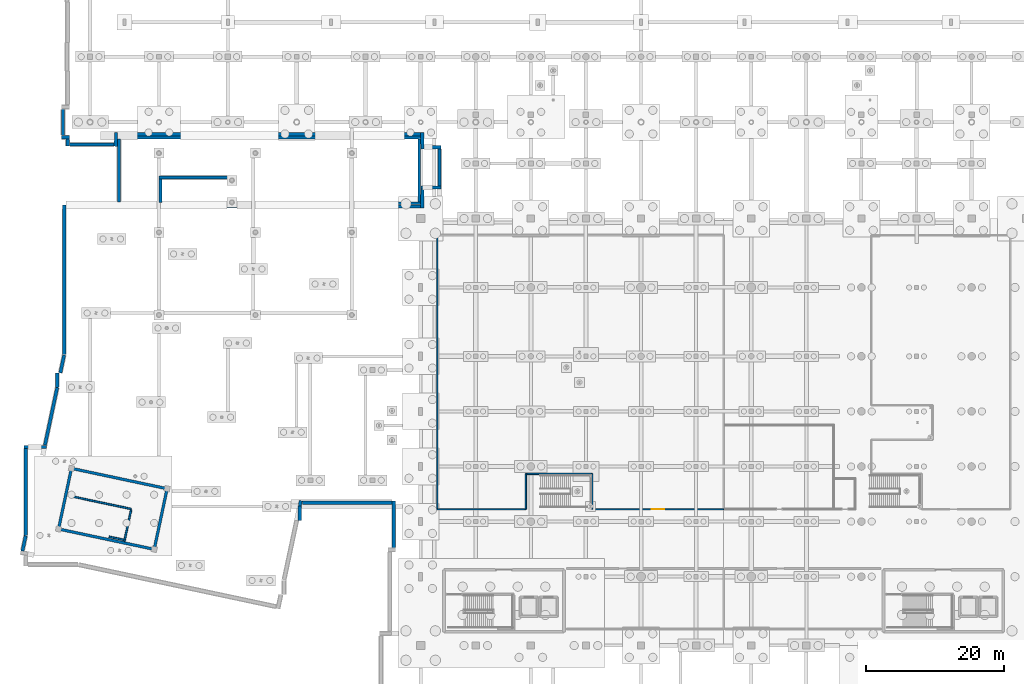
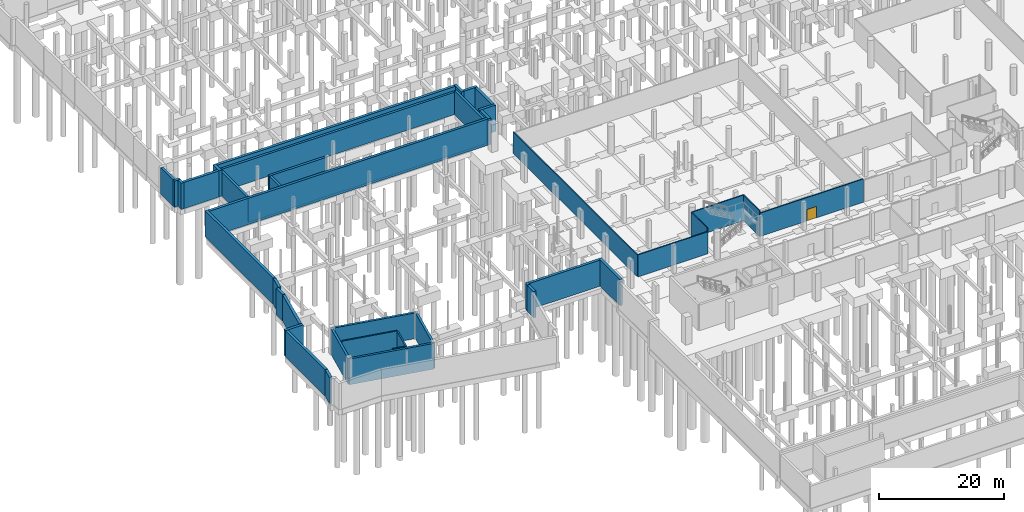
# One storey, part 50 of 65: 42 walls, 1 door, 1 opening.
"""IFC4 building model written with IfcOpenShell, lengths in metres."""

import ifcopenshell
import ifcopenshell.guid

model = None  # the IFC model being written
_history = None  # IfcOwnerHistory: only IFC2X3 demands one
_inside = {}  # id of a spatial element -> (the spatial element, [elements in it])
_under = {}  # id of a project, library or spatial element -> (it, [spatial elements below it])
_declared = {}  # id of a project -> (the project, [libraries it declares])
_typed = {}  # id of a type object -> (the type object, [elements of that type])
_made_of = {}  # id of a material, layer set ... -> (it, [elements and type objects made of it])


def new_model(schema):
    """Start an empty IFC model of exactly this schema.

    Asked for "IFC4X3", IfcOpenShell would pick the latest addendum, in which some entities
    have other attributes; the version numbers below select the first issue.
    IFC2X3 requires an IfcOwnerHistory on every rooted entity: one is made here for all.
    """
    global model, _history
    if schema == "IFC4X3":
        model = ifcopenshell.file(schema_version=(4, 3, 0, 0))
    else:
        model = ifcopenshell.file(schema=schema)
    _inside.clear()
    _under.clear()
    _declared.clear()
    _typed.clear()
    _made_of.clear()
    _history = None
    if model.schema == "IFC2X3":
        org = make("IfcOrganization", Name="unknown")
        user = make(
            "IfcPersonAndOrganization",
            ThePerson=make("IfcPerson", FamilyName="unknown"),
            TheOrganization=org,
        )
        app = make(
            "IfcApplication",
            ApplicationDeveloper=org,
            Version="unknown",
            ApplicationFullName="unknown",
            ApplicationIdentifier="unknown",
        )
        _history = make(
            "IfcOwnerHistory",
            OwningUser=user,
            OwningApplication=app,
            ChangeAction="ADDED",
            CreationDate=0,
        )
    return model


def make(cls, **values):
    """One entity of the class cls with the attributes given. An attribute that is None is left unset."""
    return model.create_entity(
        cls, **{name: value for name, value in values.items() if value is not None}
    )


def rooted(cls, **values):
    """An entity with a GlobalId (a new one), such as an element, a storey or a relation."""
    return make(cls, GlobalId=ifcopenshell.guid.new(), OwnerHistory=_history, **values)


def si_unit(unit_type, name, prefix=None):
    """IfcSIUnit, for example si_unit("LENGTHUNIT", "METRE", prefix="MILLI")."""
    return make("IfcSIUnit", UnitType=unit_type, Prefix=prefix, Name=name)


def assignment(units):
    """IfcUnitAssignment: the units of a project."""
    return None if units is None else make("IfcUnitAssignment", Units=units)


def point(xyz):
    """IfcCartesianPoint."""
    return None if xyz is None else make("IfcCartesianPoint", Coordinates=xyz)


def direction(xyz):
    """IfcDirection."""
    return None if xyz is None else make("IfcDirection", DirectionRatios=xyz)


def frame(location, z_axis=None, x_axis=None):
    """IfcAxis2Placement3D, a coordinate frame: its origin and axes. An axis left out is left unset."""
    return make(
        "IfcAxis2Placement3D",
        Location=point(location),
        Axis=direction(z_axis),
        RefDirection=direction(x_axis),
    )


def frame_2d(location, x_axis=None):
    """IfcAxis2Placement2D, a coordinate frame in the plane: its origin and x axis."""
    return make(
        "IfcAxis2Placement2D", Location=point(location), RefDirection=direction(x_axis)
    )


def origin():
    """The frame at (0, 0, 0) with its axes left unset."""
    return frame((0.0, 0.0, 0.0))


def place(relative_to, where):
    """IfcLocalPlacement: puts the frame where relative to a parent placement (None: the world)."""
    return make(
        "IfcLocalPlacement", PlacementRelTo=relative_to, RelativePlacement=where
    )


def context(
    kind, dimensions, precision=None, world=None, true_north=None, identifier=None
):
    """IfcGeometricRepresentationContext, for example the 3D "Model" context."""
    return make(
        "IfcGeometricRepresentationContext",
        ContextIdentifier=identifier,
        ContextType=kind,
        CoordinateSpaceDimension=dimensions,
        Precision=precision,
        WorldCoordinateSystem=world,
        TrueNorth=true_north,
    )


def subcontext(parent, identifier, kind, view, scale=None):
    """IfcGeometricRepresentationSubContext, for example "Body" below "Model"."""
    return make(
        "IfcGeometricRepresentationSubContext",
        ContextIdentifier=identifier,
        ContextType=kind,
        ParentContext=parent,
        TargetScale=scale,
        TargetView=view,
    )


def project(units=None, contexts=None):
    """IfcProject with its units and contexts."""
    return rooted(
        "IfcProject",
        Name="project",
        RepresentationContexts=contexts,
        UnitsInContext=assignment(units),
    )


def spatial(cls, under=None, at=None, **own):
    """A site, building, storey or space (cls), placed at a placement, below another one or the project."""
    s = rooted(cls, ObjectPlacement=at, **own)
    if under is not None:
        _under.setdefault(under.id(), (under, []))[1].append(s)
    return s


def profile(cls, at=None, kind="AREA", **sizes):
    """A parametric profile (cls). Its sizes go by their IFC names, for example OverallWidth=200.0."""
    return make(cls, ProfileType=kind, Position=at, **sizes)


def rectangle(**sizes):
    """IfcRectangleProfileDef."""
    return profile("IfcRectangleProfileDef", **sizes)


def extrude(swept, where, along, depth):
    """IfcExtrudedAreaSolid: the profile swept, set in the frame where, extruded along a direction by depth."""
    return make(
        "IfcExtrudedAreaSolid",
        SweptArea=swept,
        Position=where,
        ExtrudedDirection=direction(along),
        Depth=depth,
    )


def shape(context_of_items, identifier, shape_type, items):
    """IfcShapeRepresentation: the items that make up one representation, for example the "Body"."""
    return make(
        "IfcShapeRepresentation",
        ContextOfItems=context_of_items,
        RepresentationIdentifier=identifier,
        RepresentationType=shape_type,
        Items=items,
    )


def material(Name=None, Category=None):
    """IfcMaterial."""
    return make("IfcMaterial", Name=Name, Category=Category)


def layer(
    of_material, thickness, ventilated=None, Name=None, Category=None, Priority=None
):
    """IfcMaterialLayer: one layer of a wall or slab, of a material (None: an air gap)."""
    return make(
        "IfcMaterialLayer",
        Material=of_material,
        LayerThickness=thickness,
        IsVentilated=ventilated,
        Name=Name,
        Category=Category,
        Priority=Priority,
    )


def layer_set(layers, Name=None):
    """IfcMaterialLayerSet."""
    return make("IfcMaterialLayerSet", MaterialLayers=layers, LayerSetName=Name)


def made_of(thing, what):
    """Note that an element or type object is made of a material, layer set ...; save() writes the relation."""
    if what is not None:
        _made_of.setdefault(what.id(), (what, []))[1].append(thing)
    return thing


def type_object(cls, material=None, **own):
    """A type object (cls), such as IfcWallType, which elements share."""
    return made_of(rooted(cls, **own), material)


def element(
    cls,
    number,
    at=None,
    inside=None,
    cuts=None,
    type_object=None,
    material=None,
    context=None,
    identifier="Body",
    shape_type=None,
    held_by="IfcProductDefinitionShape",
    body=None,
    shapes=None,
    **own,
):
    """One element of the class cls, such as IfcWall. Its Tag is "e" and its number.

    at: its placement. inside: the storey or other place that contains it. cuts: it is an
    opening in that element (IfcRelVoidsElement). A single representation is given by context,
    identifier, shape_type and body (its items); several are given by shapes. held_by: the class
    of the entity that holds the representations. save() writes the other relations.
    """
    e = rooted(cls, Tag="e%d" % number, ObjectPlacement=at, **own)
    if body is not None:
        shapes = [shape(context, identifier, shape_type, body)]
    if shapes is not None:
        e.Representation = make(held_by, Representations=shapes)
    if inside is not None:
        _inside.setdefault(inside.id(), (inside, []))[1].append(e)
    if cuts is not None:
        rooted(
            "IfcRelVoidsElement", RelatingBuildingElement=cuts, RelatedOpeningElement=e
        )
    if type_object is not None:
        _typed.setdefault(type_object.id(), (type_object, []))[1].append(e)
    return made_of(e, material)


def fill(opening, filler):
    """IfcRelFillsElement: the door or window that sits in an opening."""
    return rooted(
        "IfcRelFillsElement",
        RelatingOpeningElement=opening,
        RelatedBuildingElement=filler,
    )


def aggregate(whole, parts):
    """IfcRelAggregates: a whole, such as a stair, and the parts it consists of."""
    return rooted("IfcRelAggregates", RelatingObject=whole, RelatedObjects=parts)


def save(model, path):
    """Write the relations noted so far, then the file.

    IfcRelAggregates (storeys below a building ...), IfcRelContainedInSpatialStructure (elements
    in a storey), IfcRelDefinesByType, IfcRelAssociatesMaterial and IfcRelDeclares: one each for
    every whole, place, type object, material and project.
    """
    for whole, parts in _under.values():
        aggregate(whole, parts)
    for where, things in _inside.values():
        rooted(
            "IfcRelContainedInSpatialStructure",
            RelatedElements=things,
            RelatingStructure=where,
        )
    for kind, things in _typed.values():
        rooted("IfcRelDefinesByType", RelatedObjects=things, RelatingType=kind)
    for what, things in _made_of.values():
        rooted("IfcRelAssociatesMaterial", RelatedObjects=things, RelatingMaterial=what)
    for by, libraries in _declared.values():
        rooted("IfcRelDeclares", RelatingContext=by, RelatedDefinitions=libraries)
    model.write(path)


model = new_model("IFC4")

# Units and contexts
model_context = context("Model", 3, precision=1e-05, world=origin(), true_north=direction((0.0, 1.0)))
body_context = subcontext(model_context, "Body", "Model", "MODEL_VIEW")
ifc_project = project(units=[si_unit("LENGTHUNIT", "METRE"), si_unit("AREAUNIT", "SQUARE_METRE"), si_unit("VOLUMEUNIT", "CUBIC_METRE"), si_unit("PLANEANGLEUNIT", "RADIAN"), si_unit("MASSUNIT", "GRAM", prefix="KILO")], contexts=[model_context])

# Site, building, storey
site_placement = place(None, origin())
site = spatial("IfcSite", under=ifc_project, at=site_placement, CompositionType="ELEMENT")
building_placement = place(site_placement, origin())
building = spatial("IfcBuilding", under=site, at=building_placement, Name="Khorjan Park Terminus", CompositionType="ELEMENT")
storey_placement = place(building_placement, frame((0.0, 0.0, -5.4)))
storey = spatial("IfcBuildingStorey", under=building, at=storey_placement, Name="B1", CompositionType="ELEMENT", Elevation=-5.4)

# Walls
ifc_material_1 = material(Name="Concrete C50/60", Category="concrete")
ifc_layer_1 = layer(ifc_material_1, 0.4)
ifc_layer_set_1 = layer_set([ifc_layer_1], Name="Concrete C50/60")
wall_type_1 = type_object("IfcWallType", Name="CW-40", PredefinedType="SHEAR", material=ifc_layer_set_1)
wall_1_placement = place(storey_placement, frame((-4.5767, 42.9243, 0.0), z_axis=(0.0, 0.0, 1.0), x_axis=(0.978148272054, -0.20790853248, 0.0)))
element("IfcWall", 1, at=wall_1_placement, inside=storey, type_object=wall_type_1, Name="Park Pavilion Exit Core substructure shear wall CW-40 (B1-E1)", PredefinedType="SHEAR", context=body_context, shape_type="SweptSolid", body=[
    extrude(rectangle(XDim=14.2, YDim=0.4, at=frame_2d((7.1, 0.0))), origin(), (0.0, 0.0, 1.0), 5.02),
])
wall_2_placement = place(storey_placement, frame((9.313, 39.972, 0.0), z_axis=(0.0, 0.0, 1.0), x_axis=(0.20791177806, 0.97814758219, 0.0)))
element("IfcWall", 2, at=wall_2_placement, inside=storey, type_object=wall_type_1, Name="Park Pavilion Exit Core substructure shear wall CW-40 (B1-E2)", PredefinedType="SHEAR", context=body_context, shape_type="SweptSolid", body=[
    extrude(rectangle(XDim=9.0, YDim=0.4, at=frame_2d((4.5, 0.0))), origin(), (0.0, 0.0, 1.0), 5.02),
])
wall_3_placement = place(storey_placement, frame((11.1842, 48.7753, 0.0), z_axis=(0.0, 0.0, 1.0), x_axis=(-0.978148272054, 0.20790853248, 0.0)))
element("IfcWall", 3, at=wall_3_placement, inside=storey, type_object=wall_type_1, Name="Park Pavilion Exit Core substructure shear wall CW-40 (B1-E3)", PredefinedType="SHEAR", context=body_context, shape_type="SweptSolid", body=[
    extrude(rectangle(XDim=14.2, YDim=0.4, at=frame_2d((7.1, 0.0))), origin(), (0.0, 0.0, 1.0), 5.02),
])
wall_4_placement = place(storey_placement, frame((-2.7055, 51.7276, 0.0), z_axis=(0.0, 0.0, 1.0), x_axis=(-0.20791177806, -0.97814758219, 0.0)))
element("IfcWall", 4, at=wall_4_placement, inside=storey, type_object=wall_type_1, Name="Park Pavilion Exit Core substructure shear wall CW-40 (B1-E4)", PredefinedType="SHEAR", context=body_context, shape_type="SweptSolid", body=[
    extrude(rectangle(XDim=9.0, YDim=0.4, at=frame_2d((4.5, 0.0))), origin(), (0.0, 0.0, 1.0), 5.02),
])

# Wall, opening, door
ifc_material_2 = material(Name="Fire-Rated Acoustic Masonry & Drywall", Category="masonry")
ifc_layer_2 = layer(ifc_material_2, 0.2)
ifc_layer_set_2 = layer_set([ifc_layer_2], Name="Fire-Rated Acoustic Masonry & Drywall")
wall_type_2 = type_object("IfcWallType", Name="PT-20", PredefinedType="PARTITIONING", material=ifc_layer_set_2)
wall_5_placement = place(storey_placement, frame((92.0, 45.8, 0.0), z_axis=(0.0, 0.0, 1.0), x_axis=(-1.0, 0.0, 0.0)))
wall_5 = element("IfcWall", 5, at=wall_5_placement, inside=storey, type_object=wall_type_2, Name="Interior acoustic partition PT-20 (B1-BAG)", PredefinedType="PARTITIONING", context=body_context, shape_type="SweptSolid", body=[
    extrude(rectangle(XDim=19.08, YDim=0.2, at=frame_2d((9.54, 0.0))), origin(), (0.0, 0.0, 1.0), 4.565),
])
opening_placement = place(wall_5_placement, frame((8.64, 0.0, 0.0)))
opening = element("IfcOpeningElement", 6, at=opening_placement, cuts=wall_5, Name="Opening FD-18", PredefinedType="OPENING", context=body_context, shape_type="SweptSolid", body=[
    extrude(rectangle(XDim=1.8, YDim=2.25, at=frame_2d((0.9, 1.125))), frame((0.0, 0.11, 0.0), z_axis=(0.0, -1.0, 0.0), x_axis=(1.0, 0.0, 0.0)), (0.0, 0.0, 1.0), 0.22),
])
ifc_material_3 = material(Name="Fire-Rated Steel Double Door", Category="steel")
door_type = type_object("IfcDoorType", Name="FD-18", OperationType="NOTDEFINED", PredefinedType="DOOR", material=ifc_material_3)
door_placement = place(opening_placement, origin())
door = element("IfcDoor", 7, at=door_placement, inside=storey, type_object=door_type, Name="Interior door FD-18 (B1-BAG)", OperationType="DOUBLE_DOOR_SINGLE_SWING", OverallHeight=2.25, OverallWidth=1.8, PredefinedType="DOOR", context=body_context, shape_type="SweptSolid", body=[
    extrude(rectangle(XDim=1.8, YDim=2.25, at=frame_2d((0.9, 1.125))), frame((0.0, 0.025, 0.0), z_axis=(0.0, -1.0, 0.0), x_axis=(1.0, 0.0, 0.0)), (0.0, 0.0, 1.0), 0.05),
])
fill(opening, door)

# Walls
wall_6_placement = place(storey_placement, frame((72.92, 45.8, 0.0), z_axis=(0.0, 0.0, 1.0), x_axis=(0.0, 1.0, 0.0)))
element("IfcWall", 8, at=wall_6_placement, inside=storey, type_object=wall_type_2, Name="Interior acoustic partition PT-20 (B1-BAG)", PredefinedType="PARTITIONING", context=body_context, shape_type="SweptSolid", body=[
    extrude(rectangle(XDim=5.12, YDim=0.2, at=frame_2d((2.56, 0.0))), origin(), (0.0, 0.0, 1.0), 5.02),
])
wall_7_placement = place(storey_placement, frame((72.92, 50.92, 0.0), z_axis=(0.0, 0.0, 1.0), x_axis=(-1.0, 0.0, 0.0)))
element("IfcWall", 9, at=wall_7_placement, inside=storey, type_object=wall_type_2, Name="Interior acoustic partition PT-20 (B1-BAG)", PredefinedType="PARTITIONING", context=body_context, shape_type="SweptSolid", body=[
    extrude(rectangle(XDim=9.64, YDim=0.2, at=frame_2d((4.82, 0.0))), origin(), (0.0, 0.0, 1.0), 5.02),
])
wall_8_placement = place(storey_placement, frame((63.28, 50.92, 0.0), z_axis=(0.0, 0.0, 1.0), x_axis=(0.0, -1.0, 0.0)))
element("IfcWall", 10, at=wall_8_placement, inside=storey, type_object=wall_type_2, Name="Interior acoustic partition PT-20 (B1-BAG)", PredefinedType="PARTITIONING", context=body_context, shape_type="SweptSolid", body=[
    extrude(rectangle(XDim=5.12, YDim=0.2, at=frame_2d((2.56, 0.0))), origin(), (0.0, 0.0, 1.0), 5.02),
])
wall_9_placement = place(storey_placement, frame((63.28, 45.8, 0.0), z_axis=(0.0, 0.0, 1.0), x_axis=(-1.0, 0.0, 0.0)))
element("IfcWall", 11, at=wall_9_placement, inside=storey, type_object=wall_type_2, Name="Interior acoustic partition PT-20 (B1-BAG)", PredefinedType="PARTITIONING", context=body_context, shape_type="SweptSolid", body=[
    extrude(rectangle(XDim=12.88, YDim=0.2, at=frame_2d((6.44, 0.0))), origin(), (0.0, 0.0, 1.0), 4.315),
])
wall_10_placement = place(storey_placement, frame((50.4, 45.8, 0.0), z_axis=(0.0, 0.0, 1.0), x_axis=(0.0, 1.0, 0.0)))
element("IfcWall", 12, at=wall_10_placement, inside=storey, type_object=wall_type_2, Name="Interior acoustic partition PT-20 (B1-BAG)", PredefinedType="PARTITIONING", context=body_context, shape_type="SweptSolid", body=[
    extrude(rectangle(XDim=39.8, YDim=0.2, at=frame_2d((19.9, 0.0))), origin(), (0.0, 0.0, 1.0), 4.215),
])
ifc_material_4 = material(Name="Concrete C40/50", Category="concrete")
ifc_layer_3 = layer(ifc_material_4, 0.42)
ifc_layer_set_3 = layer_set([ifc_layer_3], Name="Concrete C40/50")
wall_type_3 = type_object("IfcWallType", Name="RW-42", PredefinedType="SOLIDWALL", material=ifc_layer_set_3)
wall_11_placement = place(storey_placement, frame((48.0, 90.23, 0.0), z_axis=(0.0, 0.0, 1.0), x_axis=(-1.0, 0.0, 0.0)))
element("IfcWall", 13, at=wall_11_placement, inside=storey, type_object=wall_type_3, Name="Grade approach concrete retaining wall RW-42 (79)", PredefinedType="SOLIDWALL", context=body_context, shape_type="SweptSolid", body=[
    extrude(rectangle(XDim=44.0, YDim=0.42, at=frame_2d((22.0, 0.0))), origin(), (0.0, 0.0, 1.0), 4.68),
])
wall_12_placement = place(storey_placement, frame((4.21, 90.44, 0.0), z_axis=(0.0, 0.0, 1.0), x_axis=(0.0, 1.0, 0.0)))
element("IfcWall", 14, at=wall_12_placement, inside=storey, type_object=wall_type_3, Name="Grade approach concrete retaining wall RW-42 (80)", PredefinedType="SOLIDWALL", context=body_context, shape_type="SweptSolid", body=[
    extrude(rectangle(XDim=9.14, YDim=0.42, at=frame_2d((4.57, 0.0))), origin(), (0.0, 0.0, 1.0), 4.68),
])
wall_13_placement = place(storey_placement, frame((4.0, 99.79, 0.0), z_axis=(0.0, 0.0, 1.0), x_axis=(1.0, 0.0, 0.0)))
element("IfcWall", 15, at=wall_13_placement, inside=storey, type_object=wall_type_3, Name="Grade approach concrete retaining wall RW-42 (81)", PredefinedType="SOLIDWALL", context=body_context, shape_type="SweptSolid", body=[
    extrude(rectangle(XDim=44.0, YDim=0.42, at=frame_2d((22.0, 0.0))), origin(), (0.0, 0.0, 1.0), 4.36),
])
wall_14_placement = place(storey_placement, frame((47.79, 99.58, 0.0), z_axis=(0.0, 0.0, 1.0), x_axis=(0.0, -1.0, 0.0)))
element("IfcWall", 16, at=wall_14_placement, inside=storey, type_object=wall_type_3, Name="Grade approach concrete retaining wall RW-42 (82)", PredefinedType="SOLIDWALL", context=body_context, shape_type="SweptSolid", body=[
    extrude(rectangle(XDim=9.14, YDim=0.42, at=frame_2d((4.57, 0.0))), origin(), (0.0, 0.0, 1.0), 4.68),
])
wall_15_placement = place(storey_placement, frame((10.0, 93.95, 0.0), z_axis=(0.0, 0.0, 1.0), x_axis=(1.0, 0.0, 0.0)))
element("IfcWall", 17, at=wall_15_placement, inside=storey, type_object=wall_type_3, Name="Ramp foundation stem wall RW-42 (GRMP-N-PK-N)", PredefinedType="SOLIDWALL", context=body_context, shape_type="SweptSolid", body=[
    extrude(rectangle(XDim=10.79, YDim=0.42, at=frame_2d((5.395, 0.0))), origin(), (0.0, 0.0, 1.0), 4.68),
])
wall_16_placement = place(storey_placement, frame((10.21, 90.35, 0.0), z_axis=(0.0, 0.0, 1.0), x_axis=(0.0, 1.0, 0.0)))
element("IfcWall", 18, at=wall_16_placement, inside=storey, type_object=wall_type_3, Name="Ramp toe bearing foundation wall RW-42 (GRMP-N-PK)", PredefinedType="SOLIDWALL", context=body_context, shape_type="SweptSolid", body=[
    extrude(rectangle(XDim=3.38, YDim=0.42, at=frame_2d((1.69, 0.0))), origin(), (0.0, 0.0, 1.0), 4.68),
])
ifc_layer_4 = layer(ifc_material_4, 0.48)
ifc_layer_set_4 = layer_set([ifc_layer_4], Name="Concrete C40/50")
wall_type_4 = type_object("IfcWallType", Name="RW-48", PredefinedType="SOLIDWALL", material=ifc_layer_set_4)
wall_17_placement = place(storey_placement, frame((-9.8167, 39.7238, 0.0), z_axis=(0.0, 0.0, 1.0), x_axis=(0.207949867906, 0.978139485164, 0.0)))
element("IfcWall", 19, at=wall_17_placement, inside=storey, type_object=wall_type_4, Name="Perimeter substructure concrete retaining wall RW-48 (1)", PredefinedType="SOLIDWALL", context=body_context, shape_type="SweptSolid", body=[
    extrude(rectangle(XDim=2.2578, YDim=0.48, at=frame_2d((1.1289, 0.0))), origin(), (0.0, 0.0, 1.0), 5.12),
])
wall_18_placement = place(storey_placement, frame((-9.342, 41.9821, 0.0), z_axis=(0.0, 0.0, 1.0), x_axis=(0.0, 1.0, 0.0)))
element("IfcWall", 20, at=wall_18_placement, inside=storey, type_object=wall_type_4, Name="Perimeter substructure concrete retaining wall RW-48 (2)", PredefinedType="SOLIDWALL", context=body_context, shape_type="SweptSolid", body=[
    extrude(rectangle(XDim=12.5979, YDim=0.48, at=frame_2d((6.2989, 0.0))), origin(), (0.0, 0.0, 1.0), 5.12),
])
wall_19_placement = place(storey_placement, frame((-9.582, 54.82, 0.0), z_axis=(0.0, 0.0, 1.0), x_axis=(1.0, 0.0, 0.0)))
element("IfcWall", 21, at=wall_19_placement, inside=storey, type_object=wall_type_4, Name="Perimeter substructure concrete retaining wall RW-48 (3)", PredefinedType="SOLIDWALL", context=body_context, shape_type="SweptSolid", body=[
    extrude(rectangle(XDim=3.2706, YDim=0.48, at=frame_2d((1.6353, 0.0))), origin(), (0.0, 0.0, 1.0), 5.12),
])
wall_20_placement = place(storey_placement, frame((-6.5462, 55.1099, 0.0), z_axis=(0.0, 0.0, 1.0), x_axis=(0.207919064522, 0.978146033376, 0.0)))
element("IfcWall", 22, at=wall_20_placement, inside=storey, type_object=wall_type_4, Name="Perimeter substructure concrete retaining wall RW-48 (4)", PredefinedType="SOLIDWALL", context=body_context, shape_type="SweptSolid", body=[
    extrude(rectangle(XDim=8.5274, YDim=0.48, at=frame_2d((4.2637, 0.0))), origin(), (0.0, 0.0, 1.0), 5.12),
])
wall_21_placement = place(storey_placement, frame((-4.768, 63.5008, 0.0), z_axis=(0.0, 0.0, 1.0), x_axis=(0.0, 1.0, 0.0)))
element("IfcWall", 23, at=wall_21_placement, inside=storey, type_object=wall_type_4, Name="Perimeter substructure concrete retaining wall RW-48 (5)", PredefinedType="SOLIDWALL", context=body_context, shape_type="SweptSolid", body=[
    extrude(rectangle(XDim=2.0782, YDim=0.48, at=frame_2d((1.0391, 0.0))), origin(), (0.0, 0.0, 1.0), 5.12),
])
wall_22_placement = place(storey_placement, frame((-4.3209, 65.579, 0.0), z_axis=(0.0, 0.0, 1.0), x_axis=(0.207924090381, 0.978144965043, 0.0)))
element("IfcWall", 24, at=wall_22_placement, inside=storey, type_object=wall_type_4, Name="Perimeter substructure concrete retaining wall RW-48 (6)", PredefinedType="SOLIDWALL", context=body_context, shape_type="SweptSolid", body=[
    extrude(rectangle(XDim=2.6726, YDim=0.48, at=frame_2d((1.3363, 0.0))), origin(), (0.0, 0.0, 1.0), 5.12),
])
wall_23_placement = place(storey_placement, frame((-3.76, 68.2431, 0.0), z_axis=(0.0, 0.0, 1.0), x_axis=(0.0, 1.0, 0.0)))
element("IfcWall", 25, at=wall_23_placement, inside=storey, type_object=wall_type_4, Name="Perimeter substructure concrete retaining wall RW-48 (7)", PredefinedType="SOLIDWALL", context=body_context, shape_type="SweptSolid", body=[
    extrude(rectangle(XDim=21.7569, YDim=0.48, at=frame_2d((10.8785, 0.0))), origin(), (0.0, 0.0, 1.0), 5.12),
])
wall_24_placement = place(storey_placement, frame((-3.52, 89.76, 0.0), z_axis=(0.0, 0.0, 1.0), x_axis=(0.99999999997, 7.763809e-06, 0.0)))
element("IfcWall", 26, at=wall_24_placement, inside=storey, type_object=wall_type_4, Name="Perimeter substructure concrete retaining wall RW-48 (8)", PredefinedType="SOLIDWALL", context=body_context, shape_type="SweptSolid", body=[
    extrude(rectangle(XDim=51.5211, YDim=0.48, at=frame_2d((25.7605, 0.0))), origin(), (0.0, 0.0, 1.0), 5.12),
])
wall_25_placement = place(storey_placement, frame((48.2411, 89.519, 0.0), z_axis=(0.0, 0.0, 1.0), x_axis=(0.005883110933, 0.999982694353, 0.0)))
element("IfcWall", 27, at=wall_25_placement, inside=storey, type_object=wall_type_4, Name="Perimeter substructure concrete retaining wall RW-48 (9)", PredefinedType="SOLIDWALL", context=body_context, shape_type="SweptSolid", body=[
    extrude(rectangle(XDim=2.7366, YDim=0.48, at=frame_2d((1.3683, 0.0))), origin(), (0.0, 0.0, 1.0), 5.12),
])
wall_26_placement = place(storey_placement, frame((48.0172, 92.497, 0.0), z_axis=(0.0, 0.0, 1.0), x_axis=(1.0, 0.0, 0.0)))
element("IfcWall", 28, at=wall_26_placement, inside=storey, type_object=wall_type_4, Name="Perimeter substructure concrete retaining wall RW-48 (10)", PredefinedType="SOLIDWALL", context=body_context, shape_type="SweptSolid", body=[
    extrude(rectangle(XDim=2.9628, YDim=0.48, at=frame_2d((1.4814, 0.0))), origin(), (0.0, 0.0, 1.0), 5.12),
])
wall_27_placement = place(storey_placement, frame((50.74, 92.737, 0.0), z_axis=(0.0, 0.0, 1.0), x_axis=(0.0, 1.0, 0.0)))
element("IfcWall", 29, at=wall_27_placement, inside=storey, type_object=wall_type_4, Name="Perimeter substructure concrete retaining wall RW-48 (11)", PredefinedType="SOLIDWALL", context=body_context, shape_type="SweptSolid", body=[
    extrude(rectangle(XDim=5.392, YDim=0.48, at=frame_2d((2.696, 0.0))), origin(), (0.0, 0.0, 1.0), 5.12),
])
wall_28_placement = place(storey_placement, frame((50.98, 98.369, 0.0), z_axis=(0.0, 0.0, 1.0), x_axis=(-1.0, 0.0, 0.0)))
element("IfcWall", 30, at=wall_28_placement, inside=storey, type_object=wall_type_4, Name="Perimeter substructure concrete retaining wall RW-48 (12)", PredefinedType="SOLIDWALL", context=body_context, shape_type="SweptSolid", body=[
    extrude(rectangle(XDim=2.48, YDim=0.48, at=frame_2d((1.24, 0.0))), origin(), (0.0, 0.0, 1.0), 5.12),
])
wall_29_placement = place(storey_placement, frame((48.26, 98.1265, 0.0), z_axis=(0.0, 0.0, 1.0), x_axis=(-0.010563383657, 0.999944205906, 0.0)))
element("IfcWall", 31, at=wall_29_placement, inside=storey, type_object=wall_type_4, Name="Perimeter substructure concrete retaining wall RW-48 (13)", PredefinedType="SOLIDWALL", context=body_context, shape_type="SweptSolid", body=[
    extrude(rectangle(XDim=2.3761, YDim=0.48, at=frame_2d((1.1881, 0.0))), origin(), (0.0, 0.0, 1.0), 5.12),
])
wall_30_placement = place(storey_placement, frame((47.9949, 100.26, 0.0), z_axis=(0.0, 0.0, 1.0), x_axis=(-1.0, 0.0, 0.0)))
element("IfcWall", 32, at=wall_30_placement, inside=storey, type_object=wall_type_4, Name="Perimeter substructure concrete retaining wall RW-48 (14)", PredefinedType="SOLIDWALL", context=body_context, shape_type="SweptSolid", body=[
    extrude(rectangle(XDim=43.9886, YDim=0.48, at=frame_2d((21.9943, 0.0))), origin(), (0.0, 0.0, 1.0), 5.12),
])
wall_31_placement = place(storey_placement, frame((3.7663, 100.5032, 0.0), z_axis=(0.0, 0.0, 1.0), x_axis=(-0.01315675587, -0.999913446142, 0.0)))
element("IfcWall", 33, at=wall_31_placement, inside=storey, type_object=wall_type_4, Name="Perimeter substructure concrete retaining wall RW-48 (15)", PredefinedType="SOLIDWALL", context=body_context, shape_type="SweptSolid", body=[
    extrude(rectangle(XDim=2.0066, YDim=0.48, at=frame_2d((1.0033, 0.0))), origin(), (0.0, 0.0, 1.0), 5.12),
])
wall_32_placement = place(storey_placement, frame((3.5, 98.74, 0.0), z_axis=(0.0, 0.0, 1.0), x_axis=(-1.0, 0.0, 0.0)))
element("IfcWall", 34, at=wall_32_placement, inside=storey, type_object=wall_type_4, Name="Perimeter substructure concrete retaining wall RW-48 (16)", PredefinedType="SOLIDWALL", context=body_context, shape_type="SweptSolid", body=[
    extrude(rectangle(XDim=6.52, YDim=0.48, at=frame_2d((3.26, 0.0))), origin(), (0.0, 0.0, 1.0), 5.12),
])
wall_33_placement = place(storey_placement, frame((-3.26, 98.5, 0.0), z_axis=(0.0, 0.0, 1.0), x_axis=(0.0, 1.0, 0.0)))
element("IfcWall", 35, at=wall_33_placement, inside=storey, type_object=wall_type_4, Name="Perimeter substructure concrete retaining wall RW-48 (17)", PredefinedType="SOLIDWALL", context=body_context, shape_type="SweptSolid", body=[
    extrude(rectangle(XDim=1.05, YDim=0.48, at=frame_2d((0.525, 0.0))), origin(), (0.0, 0.0, 1.0), 5.12),
])
wall_34_placement = place(storey_placement, frame((-3.02, 99.79, 0.0), z_axis=(0.0, 0.0, 1.0), x_axis=(-1.0, 0.0, 0.0)))
element("IfcWall", 36, at=wall_34_placement, inside=storey, type_object=wall_type_4, Name="Perimeter substructure concrete retaining wall RW-48 (18)", PredefinedType="SOLIDWALL", context=body_context, shape_type="SweptSolid", body=[
    extrude(rectangle(XDim=1.14, YDim=0.48, at=frame_2d((0.57, 0.0))), origin(), (0.0, 0.0, 1.0), 5.12),
])
wall_35_placement = place(storey_placement, frame((-3.92, 100.03, 0.0), z_axis=(0.0, 0.0, 1.0), x_axis=(0.0, 1.0, 0.0)))
element("IfcWall", 37, at=wall_35_placement, inside=storey, type_object=wall_type_4, Name="Perimeter substructure concrete retaining wall RW-48 (19)", PredefinedType="SOLIDWALL", context=body_context, shape_type="SweptSolid", body=[
    extrude(rectangle(XDim=3.94, YDim=0.48, at=frame_2d((1.97, 0.0))), origin(), (0.0, 0.0, 1.0), 5.12),
])
wall_36_placement = place(storey_placement, frame((44.08, 40.16, 0.0), z_axis=(0.0, 0.0, 1.0), x_axis=(0.0, 1.0, 0.0)))
element("IfcWall", 38, at=wall_36_placement, inside=storey, type_object=wall_type_4, Name="Perimeter substructure concrete retaining wall RW-48 (64)", PredefinedType="SOLIDWALL", context=body_context, shape_type="SweptSolid", body=[
    extrude(rectangle(XDim=6.82, YDim=0.48, at=frame_2d((3.41, 0.0))), origin(), (0.0, 0.0, 1.0), 5.12),
])
wall_37_placement = place(storey_placement, frame((43.84, 46.74, 0.0), z_axis=(0.0, 0.0, 1.0), x_axis=(-1.0, 0.0, 0.0)))
element("IfcWall", 39, at=wall_37_placement, inside=storey, type_object=wall_type_4, Name="Perimeter substructure concrete retaining wall RW-48 (65)", PredefinedType="SOLIDWALL", context=body_context, shape_type="SweptSolid", body=[
    extrude(rectangle(XDim=12.9996, YDim=0.48, at=frame_2d((6.4998, 0.0))), origin(), (0.0, 0.0, 1.0), 5.12),
])
wall_38_placement = place(storey_placement, frame((30.6057, 47.0299, 0.0), z_axis=(0.0, 0.0, 1.0), x_axis=(-0.208014730763, -0.978125693245, 0.0)))
element("IfcWall", 40, at=wall_38_placement, inside=storey, type_object=wall_type_4, Name="Perimeter substructure concrete retaining wall RW-48 (66)", PredefinedType="SOLIDWALL", context=body_context, shape_type="SweptSolid", body=[
    extrude(rectangle(XDim=0.7668, YDim=0.48, at=frame_2d((0.3834, 0.0))), origin(), (0.0, 0.0, 1.0), 5.12),
])
wall_39_placement = place(storey_placement, frame((30.441, 46.23, 0.0), z_axis=(0.0, 0.0, 1.0), x_axis=(0.0, -1.0, 0.0)))
element("IfcWall", 41, at=wall_39_placement, inside=storey, type_object=wall_type_4, Name="Perimeter substructure concrete retaining wall RW-48 (67)", PredefinedType="SOLIDWALL", context=body_context, shape_type="SweptSolid", body=[
    extrude(rectangle(XDim=2.08, YDim=0.48, at=frame_2d((1.04, 0.0))), origin(), (0.0, 0.0, 1.0), 5.12),
])
ifc_layer_5 = layer(ifc_material_4, 0.25)
ifc_layer_set_5 = layer_set([ifc_layer_5], Name="Concrete C40/50")
wall_type_5 = type_object("IfcWallType", Name="SW-25", PredefinedType="SOLIDWALL", material=ifc_layer_set_5)
wall_40_placement = place(storey_placement, frame((-3.1582, 47.7703, 0.0), z_axis=(0.0, 0.0, 1.0), x_axis=(0.978146230105, -0.207918139013, 0.0)))
element("IfcWall", 42, at=wall_40_placement, inside=storey, type_object=wall_type_5, Name="Park Pavilion Exit Core structural stairwell wall SW-25 (B1)", PredefinedType="SOLIDWALL", context=body_context, shape_type="SweptSolid", body=[
    extrude(rectangle(XDim=9.345, YDim=0.25, at=frame_2d((4.6725, 0.0))), origin(), (0.0, 0.0, 1.0), 5.02),
])
wall_41_placement = place(storey_placement, frame((4.9774, 41.098, 0.0), z_axis=(0.0, 0.0, 1.0), x_axis=(0.207897606308, 0.978150594383, 0.0)))
element("IfcWall", 43, at=wall_41_placement, inside=storey, type_object=wall_type_5, Name="Park Pavilion Exit Core stairwell end bearing wall SW-25 (B1)", PredefinedType="SOLIDWALL", context=body_context, shape_type="SweptSolid", body=[
    extrude(rectangle(XDim=4.71, YDim=0.25, at=frame_2d((2.355, 0.0))), origin(), (0.0, 0.0, 1.0), 5.02),
])
wall_42_placement = place(storey_placement, frame((2.75, 41.8015, 0.0), z_axis=(0.0, 0.0, 1.0), x_axis=(0.978147643724, -0.207911488563, 0.0)))
element("IfcWall", 44, at=wall_42_placement, inside=storey, type_object=wall_type_5, Name="Park Pavilion Exit Core half-landing bearing wall SW-25 (B1)", PredefinedType="SOLIDWALL", context=body_context, shape_type="SweptSolid", body=[
    extrude(rectangle(XDim=2.2, YDim=0.25, at=frame_2d((1.1, 0.0))), origin(), (0.0, 0.0, 1.0), 5.02),
])

save(model, "model.ifc")
